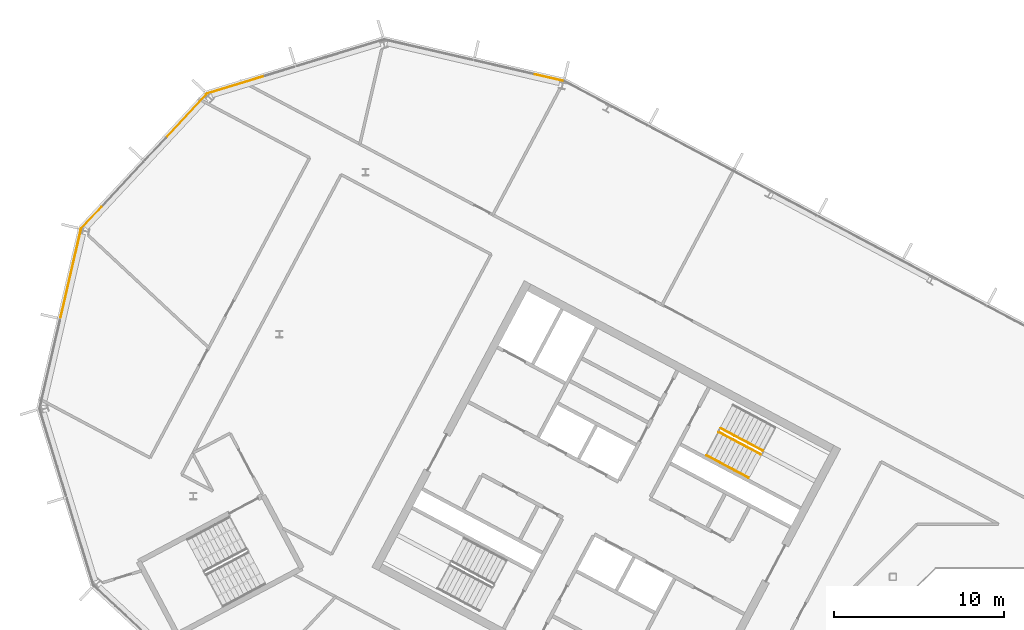
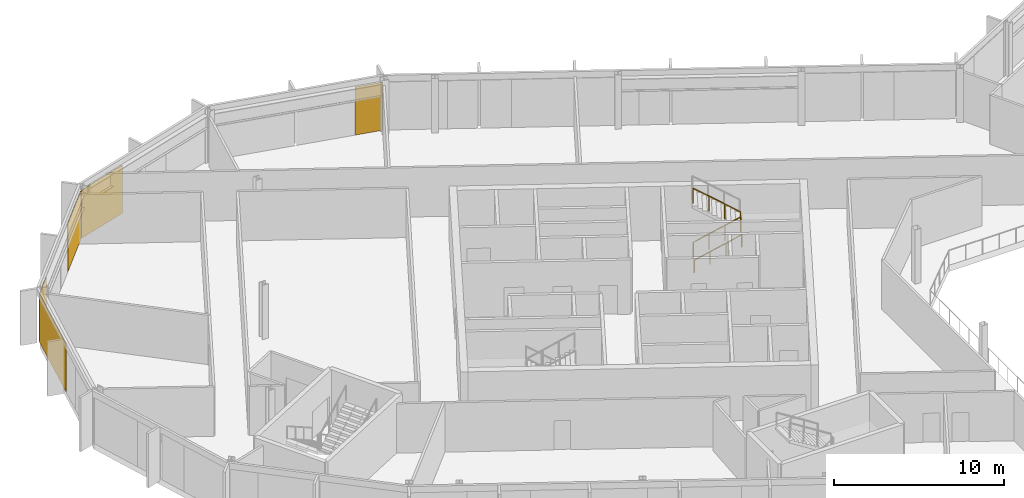
# One storey, part 22 of 26: 5 coverings, 3 railings, 4 elements without a shape of their own.
"""IFC4 building model written with IfcOpenShell, lengths in metres."""

from ifc_helpers import new_model, si_unit, direction, frame, origin, origin_2d, place, context, subcontext, project, spatial, polyline, rectangle, outline, extrude, material, layer, layer_set, type_object, element, aggregate, save


model = new_model("IFC4")

# Units and contexts
model_context = context("Model", 3, precision=1e-05, world=origin(), true_north=direction((0.0, 1.0)))
body_context = subcontext(model_context, "Body", "Model", "MODEL_VIEW")
ifc_project = project(units=[si_unit("LENGTHUNIT", "METRE"), si_unit("AREAUNIT", "SQUARE_METRE"), si_unit("VOLUMEUNIT", "CUBIC_METRE"), si_unit("PLANEANGLEUNIT", "RADIAN"), si_unit("MASSUNIT", "GRAM", prefix="KILO")], contexts=[model_context])

# Site, building, storey
site_placement = place(None, origin())
site = spatial("IfcSite", under=ifc_project, at=site_placement, CompositionType="ELEMENT")
building_placement = place(site_placement, origin())
building = spatial("IfcBuilding", under=site, at=building_placement, Name="Cormorant Relay Tower", CompositionType="ELEMENT")
storey_placement = place(building_placement, frame((0.0, 0.0, 320.39990234375)))
storey = spatial("IfcBuildingStorey", under=building, at=storey_placement, Name="L73", CompositionType="ELEMENT", Elevation=320.39990234375)

# Curtain wall, covering
ifc_material_1 = material(Name="Aluminium 6063-T6 anodised bronze", Category="aluminium")
ifc_layer_1 = layer(ifc_material_1, 0.199951171875)
ifc_layer_set_1 = layer_set([ifc_layer_1], Name="CW1 unitised bronze curtain wall with vertical fins")
curtain_wall_type = type_object("IfcCurtainWallType", Name="CW1 unitised bronze curtain wall with vertical fins", PredefinedType="NOTDEFINED", material=ifc_layer_set_1)
curtain_wall_1_placement = place(storey_placement, origin())
curtain_wall_1 = element("IfcCurtainWall", 1, at=curtain_wall_1_placement, inside=storey, type_object=curtain_wall_type, Name="CW1 curtain wall 10", PredefinedType="NOTDEFINED")
ifc_material_2 = material(Name="Pale bronze anodised aluminium insulated panel", Category="aluminium")
ifc_layer_2 = layer(ifc_material_2, 0.0400390625)
ifc_layer_set_2 = layer_set([ifc_layer_2], Name="CW1 pale bronze insulated panel 40")
covering_type = type_object("IfcCoveringType", Name="CW1 pale bronze insulated panel 40", PredefinedType="CLADDING", material=ifc_layer_set_2)
covering_1_placement = place(storey_placement, frame((-30.76318359375, 39.89404296875, 0.0), z_axis=(0.0, 0.0, 1.0), x_axis=(-0.974370064785, 0.224951054344, 0.0)))
covering_1 = element("IfcCovering", 2, at=covering_1_placement, type_object=covering_type, Name="CW1 panel S00", PredefinedType="CLADDING", context=body_context, shape_type="SweptSolid", body=[
    extrude(rectangle(XDim=1.685302734375, YDim=0.0400390625, at=origin_2d()), origin(), (0.0, 0.0, 1.0), 3.449951171875),
])
aggregate(curtain_wall_1, [covering_1])

curtain_wall_2_placement = place(storey_placement, origin())
curtain_wall_2 = element("IfcCurtainWall", 3, at=curtain_wall_2_placement, inside=storey, type_object=curtain_wall_type, Name="CW1 curtain wall 11", PredefinedType="NOTDEFINED")
covering_2_placement = place(storey_placement, frame((-49.16455078125, 39.474853515625, 0.0), z_axis=(0.0, 0.0, 1.0), x_axis=(-0.956304755963, -0.292371704723, 0.0)))
covering_2 = element("IfcCovering", 4, at=covering_2_placement, type_object=covering_type, Name="CW1 panel S03", PredefinedType="CLADDING", context=body_context, shape_type="SweptSolid", body=[
    extrude(rectangle(XDim=3.560302734375, YDim=0.0400390625, at=origin_2d()), origin(), (0.0, 0.0, 1.0), 3.449951171875),
])
aggregate(curtain_wall_2, [covering_2])

# Curtain wall, coverings
curtain_wall_3_placement = place(storey_placement, origin())
curtain_wall_3 = element("IfcCurtainWall", 5, at=curtain_wall_3_placement, inside=storey, type_object=curtain_wall_type, Name="CW1 curtain wall 12", PredefinedType="NOTDEFINED")
covering_3_placement = place(storey_placement, frame((-52.115234375, 37.61962890625, 0.0), z_axis=(0.0, 0.0, 1.0), x_axis=(-0.681998360062, -0.731353701619, 0.0)))
covering_3 = element("IfcCovering", 6, at=covering_3_placement, type_object=covering_type, Name="CW1 panel S00", PredefinedType="CLADDING", context=body_context, shape_type="SweptSolid", body=[
    extrude(rectangle(XDim=3.485107421875, YDim=0.0400390625, at=origin_2d()), origin(), (0.0, 0.0, 1.0), 3.449951171875),
])
covering_4_placement = place(storey_placement, frame((-57.68896484375, 31.642333984375, 0.0), z_axis=(0.0, 0.0, 1.0), x_axis=(-0.681998360062, -0.731353701619, 0.0)))
covering_4 = element("IfcCovering", 7, at=covering_4_placement, type_object=covering_type, Name="CW1 panel S03", PredefinedType="CLADDING", context=body_context, shape_type="SweptSolid", body=[
    extrude(rectangle(XDim=1.76025390625, YDim=0.0400390625, at=origin_2d()), origin(), (0.0, 0.0, 1.0), 3.449951171875),
])
aggregate(curtain_wall_3, [covering_3, covering_4])

# Curtain wall, covering
curtain_wall_4_placement = place(storey_placement, origin())
curtain_wall_4 = element("IfcCurtainWall", 8, at=curtain_wall_4_placement, inside=storey, type_object=curtain_wall_type, Name="CW1 curtain wall 13", PredefinedType="NOTDEFINED")
covering_5_placement = place(storey_placement, frame((-58.905517578125, 28.341796875, 0.0), z_axis=(0.0, 0.0, 1.0), x_axis=(-0.224951054344, -0.974370064785, 0.0)))
covering_5 = element("IfcCovering", 9, at=covering_5_placement, type_object=covering_type, Name="CW1 panel S00", PredefinedType="CLADDING", context=body_context, shape_type="SweptSolid", body=[
    extrude(rectangle(XDim=5.28515625, YDim=0.0400390625, at=origin_2d()), origin(), (0.0, 0.0, 1.0), 3.449951171875),
])
aggregate(curtain_wall_4, [covering_5])

# Railings
ifc_material_3 = material(Name="Steel ASTM A572 Grade 50 (Fy 345 MPa)", Category="steel")
railing_type_1 = type_object("IfcRailingType", Name="Stair guard 1100", PredefinedType="GUARDRAIL", material=ifc_material_3)
railing_1_placement = place(storey_placement, frame((-20.75048828125, 19.017822265625, 0.177490234375)))
element("IfcRailing", 10, at=railing_1_placement, inside=storey, type_object=railing_type_1, Name="L73 A1 stair guard 1", PredefinedType="GUARDRAIL", context=body_context, shape_type="SweptSolid", body=[
    extrude(outline(polyline([(0.022216796875, 0.00927734375), (0.00927734375, 0.022216796875), (-0.00927734375, 0.022216796875), (-0.022216796875, 0.00927734375), (-0.022216796875, -0.00927734375), (-0.00927734375, -0.022216796875), (0.00927734375, -0.022216796875), (0.022216796875, -0.00927734375), (0.022216796875, 0.00927734375)])), frame((0.0, 0.0, 1.076171875), z_axis=(0.746001213114, -0.396649272309, 0.534931345884), x_axis=(0.469465464807, 0.882950835185, 0.0)), (0.0, 0.0, 1.0), 3.31396484375),
    extrude(outline(polyline([(0.019287109375, 0.008056640625), (0.008056640625, 0.019287109375), (-0.008056640625, 0.019287109375), (-0.019287109375, 0.008056640625), (-0.019287109375, -0.008056640625), (-0.008056640625, -0.019287109375), (0.008056640625, -0.019287109375), (0.019287109375, -0.008056640625), (0.019287109375, 0.008056640625)])), origin(), (0.0, 0.0, 1.0), 1.052001953125),
    extrude(outline(polyline([(0.019287109375, 0.008056640625), (0.008056640625, 0.019287109375), (-0.008056640625, 0.019287109375), (-0.019287109375, 0.008056640625), (-0.019287109375, -0.008056640625), (-0.008056640625, -0.019287109375), (0.008056640625, -0.019287109375), (0.019287109375, -0.008056640625), (0.019287109375, 0.008056640625)])), frame((0.823974609375, -0.438232421875, 0.5908203125)), (0.0, 0.0, 1.0), 1.052001953125),
    extrude(outline(polyline([(0.019287109375, 0.008056640625), (0.008056640625, 0.019287109375), (-0.008056640625, 0.019287109375), (-0.019287109375, 0.008056640625), (-0.019287109375, -0.008056640625), (-0.008056640625, -0.019287109375), (0.008056640625, -0.019287109375), (0.019287109375, -0.008056640625), (0.019287109375, 0.008056640625)])), frame((1.648193359375, -0.876220703125, 1.181884765625)), (0.0, 0.0, 1.0), 1.052001953125),
    extrude(outline(polyline([(0.019287109375, 0.008056640625), (0.008056640625, 0.019287109375), (-0.008056640625, 0.019287109375), (-0.019287109375, 0.008056640625), (-0.019287109375, -0.008056640625), (-0.008056640625, -0.019287109375), (0.008056640625, -0.019287109375), (0.019287109375, -0.008056640625), (0.019287109375, 0.008056640625)])), frame((2.47216796875, -1.314453125, 1.772705078125)), (0.0, 0.0, 1.0), 1.052001953125),
])
railing_2_placement = place(storey_placement, frame((-18.160888671875, 17.924072265625, 2.12744140625)))
element("IfcRailing", 11, at=railing_2_placement, inside=storey, type_object=railing_type_1, Name="L73 A1 stair guard 3", PredefinedType="GUARDRAIL", context=body_context, shape_type="SweptSolid", body=[
    extrude(outline(polyline([(0.022216796875, 0.00927734375), (0.00927734375, 0.022216796875), (-0.00927734375, 0.022216796875), (-0.022216796875, 0.00927734375), (-0.022216796875, -0.00927734375), (-0.00927734375, -0.022216796875), (0.00927734375, -0.022216796875), (0.022216796875, -0.00927734375), (0.022216796875, 0.00927734375)])), frame((0.0, 0.0, 1.076171875), z_axis=(-0.746033882577, 0.396627473466, 0.534901947407), x_axis=(-0.469429322983, -0.882970050864, 0.0)), (0.0, 0.0, 1.0), 3.31396484375),
    extrude(outline(polyline([(0.019287109375, 0.008056640625), (0.008056640625, 0.019287109375), (-0.008056640625, 0.019287109375), (-0.019287109375, 0.008056640625), (-0.019287109375, -0.008056640625), (-0.008056640625, -0.019287109375), (0.008056640625, -0.019287109375), (0.019287109375, -0.008056640625), (0.019287109375, 0.008056640625)])), origin(), (0.0, 0.0, 1.0), 1.052001953125),
    extrude(outline(polyline([(0.019287109375, 0.008056640625), (0.008056640625, 0.019287109375), (-0.008056640625, 0.019287109375), (-0.019287109375, 0.008056640625), (-0.019287109375, -0.008056640625), (-0.008056640625, -0.019287109375), (0.008056640625, -0.019287109375), (0.019287109375, -0.008056640625), (0.019287109375, 0.008056640625)])), frame((-0.82421875, 0.438232421875, 0.5908203125)), (0.0, 0.0, 1.0), 1.052001953125),
    extrude(outline(polyline([(0.019287109375, 0.008056640625), (0.008056640625, 0.019287109375), (-0.008056640625, 0.019287109375), (-0.019287109375, 0.008056640625), (-0.019287109375, -0.008056640625), (-0.008056640625, -0.019287109375), (0.008056640625, -0.019287109375), (0.019287109375, -0.008056640625), (0.019287109375, 0.008056640625)])), frame((-1.648193359375, 0.876220703125, 1.181884765625)), (0.0, 0.0, 1.0), 1.052001953125),
    extrude(outline(polyline([(0.019287109375, 0.008056640625), (0.008056640625, 0.019287109375), (-0.008056640625, 0.019287109375), (-0.019287109375, 0.008056640625), (-0.019287109375, -0.008056640625), (-0.008056640625, -0.019287109375), (0.008056640625, -0.019287109375), (0.019287109375, -0.008056640625), (0.019287109375, 0.008056640625)])), frame((-2.472412109375, 1.314453125, 1.772705078125)), (0.0, 0.0, 1.0), 1.052001953125),
])
ifc_material_4 = material(Name="Steel ASTM A572 Grade 50 (Fy 345 MPa)", Category="steel")
railing_type_2 = type_object("IfcRailingType", Name="Stair handrail 900", PredefinedType="HANDRAIL", material=ifc_material_4)
railing_3_placement = place(storey_placement, frame((-21.478271484375, 17.6494140625, 0.177490234375)))
element("IfcRailing", 12, at=railing_3_placement, inside=storey, type_object=railing_type_2, Name="L73 A1 stair handrail 1", PredefinedType="HANDRAIL", context=body_context, shape_type="SweptSolid", body=[
    extrude(outline(polyline([(0.022216796875, 0.00927734375), (0.00927734375, 0.022216796875), (-0.00927734375, 0.022216796875), (-0.022216796875, 0.00927734375), (-0.022216796875, -0.00927734375), (-0.00927734375, -0.022216796875), (0.00927734375, -0.022216796875), (0.022216796875, -0.00927734375), (0.022216796875, 0.00927734375)])), frame((0.0, 0.0, 0.8759765625), z_axis=(0.746012083385, -0.396689549623, 0.534886317514), x_axis=(0.469497295046, 0.882933910293, 0.0)), (0.0, 0.0, 1.0), 3.314208984375),
    extrude(outline(polyline([(0.019287109375, 0.008056640625), (0.008056640625, 0.019287109375), (-0.008056640625, 0.019287109375), (-0.019287109375, 0.008056640625), (-0.019287109375, -0.008056640625), (-0.008056640625, -0.019287109375), (0.008056640625, -0.019287109375), (0.019287109375, -0.008056640625), (0.019287109375, 0.008056640625)])), origin(), (0.0, 0.0, 1.0), 0.851806640625),
    extrude(outline(polyline([(0.019287109375, 0.008056640625), (0.008056640625, 0.019287109375), (-0.008056640625, 0.019287109375), (-0.019287109375, 0.008056640625), (-0.019287109375, -0.008056640625), (-0.008056640625, -0.019287109375), (0.008056640625, -0.019287109375), (0.019287109375, -0.008056640625), (0.019287109375, 0.008056640625)])), frame((0.82421875, -0.438232421875, 0.5908203125)), (0.0, 0.0, 1.0), 0.851806640625),
    extrude(outline(polyline([(0.019287109375, 0.008056640625), (0.008056640625, 0.019287109375), (-0.008056640625, 0.019287109375), (-0.019287109375, 0.008056640625), (-0.019287109375, -0.008056640625), (-0.008056640625, -0.019287109375), (0.008056640625, -0.019287109375), (0.019287109375, -0.008056640625), (0.019287109375, 0.008056640625)])), frame((1.648193359375, -0.87646484375, 1.181884765625)), (0.0, 0.0, 1.0), 0.851806640625),
    extrude(outline(polyline([(0.019287109375, 0.008056640625), (0.008056640625, 0.019287109375), (-0.008056640625, 0.019287109375), (-0.019287109375, 0.008056640625), (-0.019287109375, -0.008056640625), (-0.008056640625, -0.019287109375), (0.008056640625, -0.019287109375), (0.019287109375, -0.008056640625), (0.019287109375, 0.008056640625)])), frame((2.472412109375, -1.314697265625, 1.772705078125)), (0.0, 0.0, 1.0), 0.851806640625),
])

save(model, "model.ifc")
